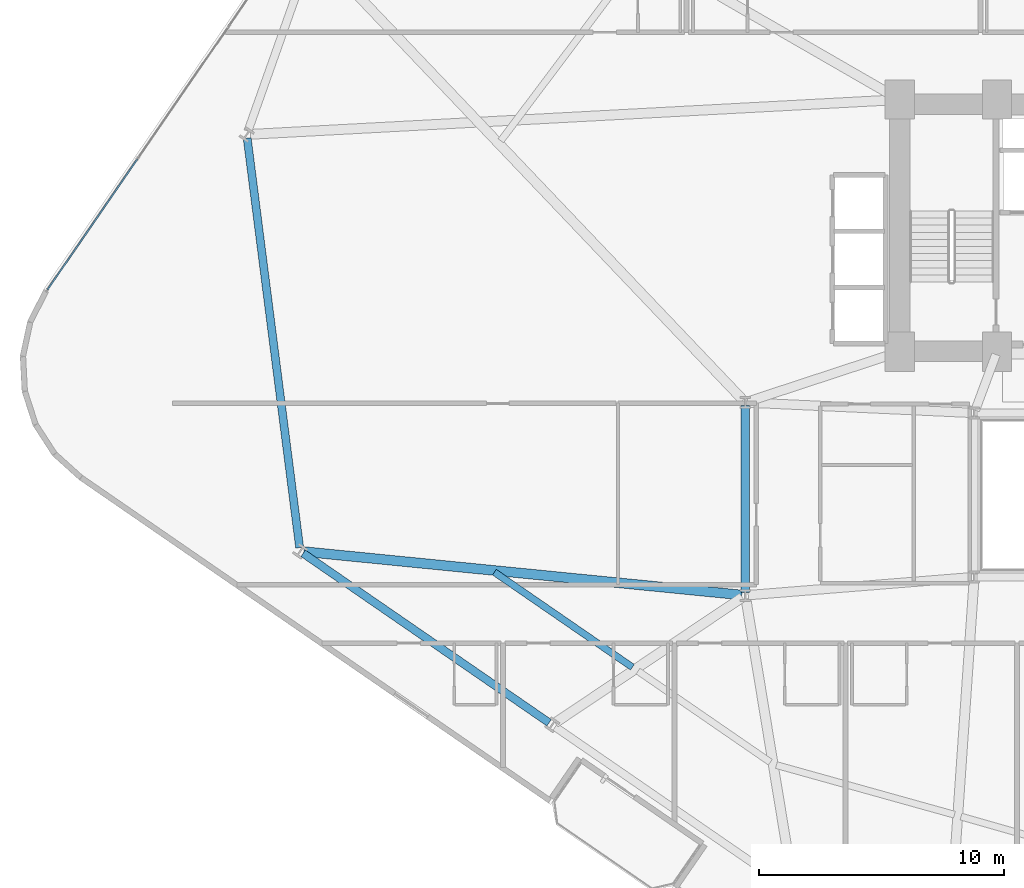
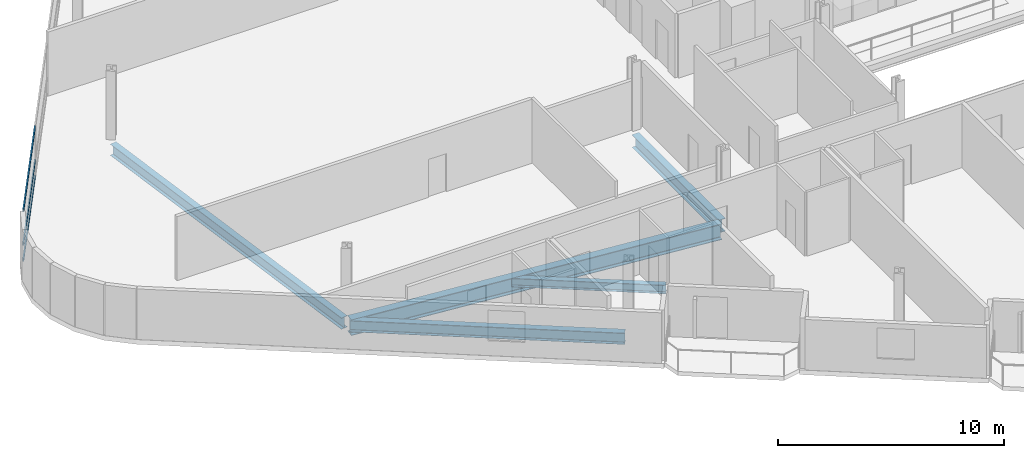
# One storey, part 3 of 25: 5 beams, 3 members, 1 element without a shape of its own.
"""IFC4 building model written with IfcOpenShell, lengths in metres."""

from ifc_helpers import new_model, si_unit, direction, frame, origin, origin_2d, place, context, subcontext, project, spatial, hollow_rectangle, i_section, extrude, material, layer, layer_set, material_profile, profile_set, type_object, element, aggregate, save


model = new_model("IFC4")

# Units and contexts
model_context = context("Model", 3, precision=1e-05, world=origin(), true_north=direction((0.0, 1.0)))
body_context = subcontext(model_context, "Body", "Model", "MODEL_VIEW")
ifc_project = project(units=[si_unit("LENGTHUNIT", "METRE"), si_unit("AREAUNIT", "SQUARE_METRE"), si_unit("VOLUMEUNIT", "CUBIC_METRE"), si_unit("PLANEANGLEUNIT", "RADIAN"), si_unit("MASSUNIT", "GRAM", prefix="KILO")], contexts=[model_context])

# Site, building, storey
site_placement = place(None, origin())
site = spatial("IfcSite", under=ifc_project, at=site_placement, CompositionType="ELEMENT")
building_placement = place(site_placement, origin())
building = spatial("IfcBuilding", under=site, at=building_placement, Name="Varnelok Gate Tower", CompositionType="ELEMENT")
storey_placement = place(building_placement, frame((0.0, 0.0, 56.60009765625)))
storey = spatial("IfcBuildingStorey", under=building, at=storey_placement, Name="L13", CompositionType="ELEMENT", Elevation=56.60009765625)

# Beams
ifc_material_1 = material(Name="Structural Steel ASTM A992 Grade 50", Category="steel")
ifc_material_profile_1 = material_profile(ifc_material_1, i_section(OverallWidth=0.280029296875, OverallDepth=0.462890625, WebThickness=0.0107421875, FlangeThickness=0.017333984375, FilletRadius=0.014892578125, at=origin_2d()), Name="W18X76")
ifc_profile_set_1 = profile_set([ifc_material_profile_1], Name="Structural Steel ASTM A992 Grade 50")
beam_type_1 = type_object("IfcBeamType", Name="BM-JST-W18X76", PredefinedType="JOIST", material=ifc_profile_set_1)
beam_1_placement = place(storey_placement, frame((14.149658203125, 19.748046875, -0.481689453125), z_axis=(0.823536853352, -0.567262770831, 0.0), x_axis=(0.567262770831, 0.823536853352, 0.0)))
element("IfcBeam", 1, at=beam_1_placement, inside=storey, type_object=beam_type_1, Name="L13 Sector Floor Joist 1", PredefinedType="JOIST", context=body_context, shape_type="SweptSolid", body=[
    extrude(i_section(OverallWidth=0.280029296875, OverallDepth=0.462890625, WebThickness=0.0107421875, FlangeThickness=0.017333984375, FilletRadius=0.014892578125, at=origin_2d()), origin(), (0.0, 0.0, 1.0), 6.8447265625),
])
ifc_material_profile_2 = material_profile(ifc_material_1, i_section(OverallWidth=0.35498046875, OverallDepth=0.696044921875, WebThickness=0.015380859375, FlangeThickness=0.02490234375, FilletRadius=0.02001953125, at=origin_2d()), Name="W27X146")
ifc_profile_set_2 = profile_set([ifc_material_profile_2], Name="Structural Steel ASTM A992 Grade 50")
beam_type_2 = type_object("IfcBeamType", Name="BM-PRI-W27X146", PredefinedType="BEAM", material=ifc_profile_set_2)
beam_2_placement = place(storey_placement, frame((24.39990234375, 18.919921875, -0.59814453125), z_axis=(0.0, 1.0, 0.0), x_axis=(-1.0, 0.0, 0.0)))
element("IfcBeam", 2, at=beam_2_placement, inside=storey, type_object=beam_type_2, Name="L13 Core-Atrium Spine Beam 16", PredefinedType="BEAM", context=body_context, shape_type="SweptSolid", body=[
    extrude(i_section(OverallWidth=0.35498046875, OverallDepth=0.696044921875, WebThickness=0.015380859375, FlangeThickness=0.02490234375, FilletRadius=0.02001953125, at=origin_2d()), origin(), (0.0, 0.0, 1.0), 7.64013671875),
])
ifc_material_profile_3 = material_profile(ifc_material_1, i_section(OverallWidth=0.39892578125, OverallDepth=0.85498046875, WebThickness=0.018310546875, FlangeThickness=0.029296875, FilletRadius=0.02392578125, at=origin_2d()), Name="W33X201")
ifc_profile_set_3 = profile_set([ifc_material_profile_3], Name="Structural Steel ASTM A992 Grade 50")
beam_type_3 = type_object("IfcBeamType", Name="BM-PRI-W33X201", PredefinedType="BEAM", material=ifc_profile_set_3)
beam_3_placement = place(storey_placement, frame((24.250732421875, 18.814697265625, -0.677490234375), z_axis=(-0.995122218733, 0.098649732815, 0.0), x_axis=(-0.098649732815, -0.995122218733, 0.0)))
element("IfcBeam", 3, at=beam_3_placement, inside=storey, type_object=beam_type_3, Name="L13 Radial Floor Girder 1", PredefinedType="BEAM", context=body_context, shape_type="SweptSolid", body=[
    extrude(i_section(OverallWidth=0.39892578125, OverallDepth=0.85498046875, WebThickness=0.018310546875, FlangeThickness=0.029296875, FilletRadius=0.02392578125, at=origin_2d()), origin(), (0.0, 0.0, 1.0), 17.974609375),
])
ifc_material_profile_4 = material_profile(ifc_material_1, i_section(OverallWidth=0.323974609375, OverallDepth=0.611083984375, WebThickness=0.0126953125, FlangeThickness=0.01904296875, FilletRadius=0.01806640625, at=origin_2d()), Name="W24X104")
ifc_profile_set_4 = profile_set([ifc_material_profile_4], Name="Structural Steel ASTM A992 Grade 50")
beam_type_4 = type_object("IfcBeamType", Name="BM-SPN-W24X104", PredefinedType="SPANDREL", material=ifc_profile_set_4)
beam_4_placement = place(storey_placement, frame((6.337890625, 20.517578125, -0.5556640625), z_axis=(0.823540632156, -0.567257284826, 0.0), x_axis=(0.567257284826, 0.823540632156, 0.0)))
element("IfcBeam", 4, at=beam_4_placement, inside=storey, type_object=beam_type_4, Name="L13 Perimeter Spandrel Beam 1", PredefinedType="SPANDREL", context=body_context, shape_type="SweptSolid", body=[
    extrude(i_section(OverallWidth=0.323974609375, OverallDepth=0.611083984375, WebThickness=0.0126953125, FlangeThickness=0.01904296875, FilletRadius=0.01806640625, at=origin_2d()), origin(), (0.0, 0.0, 1.0), 12.2001953125),
])
beam_5_placement = place(storey_placement, frame((4.05224609375, 37.47509765625, -0.5556640625), z_axis=(0.127106601297, -0.991889062298, 0.0), x_axis=(0.991889062298, 0.127106601297, 0.0)))
element("IfcBeam", 5, at=beam_5_placement, inside=storey, type_object=beam_type_4, Name="L13 Perimeter Spandrel Beam 16", PredefinedType="SPANDREL", context=body_context, shape_type="SweptSolid", body=[
    extrude(i_section(OverallWidth=0.323974609375, OverallDepth=0.611083984375, WebThickness=0.0126953125, FlangeThickness=0.01904296875, FilletRadius=0.01806640625, at=origin_2d()), origin(), (0.0, 0.0, 1.0), 16.8603515625),
])

# Curtain wall, members
ifc_material_2 = material(Name="Anodized Aluminum Alloy 6063-T6", Category="aluminium")
ifc_layer = layer(ifc_material_2, 0.179931640625)
ifc_layer_set = layer_set([ifc_layer], Name="Anodized Aluminum Alloy 6063-T6")
curtain_wall_type = type_object("IfcCurtainWallType", Name="CW3-HOTEL-VISION", PredefinedType="USERDEFINED", material=ifc_layer_set)
curtain_wall_placement = place(storey_placement, origin())
curtain_wall = element("IfcCurtainWall", 6, at=curtain_wall_placement, inside=storey, type_object=curtain_wall_type, Name="L13 West End Vision Curtain Wall", ObjectType="UNITISED CURTAIN WALL", PredefinedType="USERDEFINED")
ifc_material_profile_5 = material_profile(ifc_material_2, hollow_rectangle(XDim=0.06494140625, YDim=0.159912109375, WallThickness=0.00390625, at=origin_2d()), Name="ALU160X65X4")
ifc_profile_set_5 = profile_set([ifc_material_profile_5], Name="Anodized Aluminum Alloy 6063-T6")
member_type = type_object("IfcMemberType", Name="CW-TRAN-160", PredefinedType="USERDEFINED", material=ifc_profile_set_5)
member_1_placement = place(storey_placement, frame((-4.10546875, 31.287353515625, 0.032470703125), z_axis=(0.567255754851, 0.823541686006, 0.0), x_axis=(-0.823541686006, 0.567255754851, 0.0)))
member_1 = element("IfcMember", 7, at=member_1_placement, type_object=member_type, Name="CW3 transom 1.1", ObjectType="TRANSOM", PredefinedType="USERDEFINED", context=body_context, shape_type="SweptSolid", body=[
    extrude(hollow_rectangle(XDim=0.06494140625, YDim=0.159912109375, WallThickness=0.00390625, at=origin_2d()), origin(), (0.0, 0.0, 1.0), 6.46923828125),
])
member_2_placement = place(storey_placement, frame((-4.10546875, 31.287353515625, 0.89990234375), z_axis=(0.567255754851, 0.823541686006, 0.0), x_axis=(-0.823541686006, 0.567255754851, 0.0)))
member_2 = element("IfcMember", 8, at=member_2_placement, type_object=member_type, Name="CW3 transom 1.2", ObjectType="TRANSOM", PredefinedType="USERDEFINED", context=body_context, shape_type="SweptSolid", body=[
    extrude(hollow_rectangle(XDim=0.06494140625, YDim=0.159912109375, WallThickness=0.00390625, at=origin_2d()), origin(), (0.0, 0.0, 1.0), 6.46923828125),
])
member_3_placement = place(storey_placement, frame((-4.10546875, 31.287353515625, 2.697509765625), z_axis=(0.567255754851, 0.823541686006, 0.0), x_axis=(-0.823541686006, 0.567255754851, 0.0)))
member_3 = element("IfcMember", 9, at=member_3_placement, type_object=member_type, Name="CW3 transom 1.3", ObjectType="TRANSOM", PredefinedType="USERDEFINED", context=body_context, shape_type="SweptSolid", body=[
    extrude(hollow_rectangle(XDim=0.06494140625, YDim=0.159912109375, WallThickness=0.00390625, at=origin_2d()), origin(), (0.0, 0.0, 1.0), 6.46923828125),
])
aggregate(curtain_wall, [member_1, member_2, member_3])

save(model, "model.ifc")
